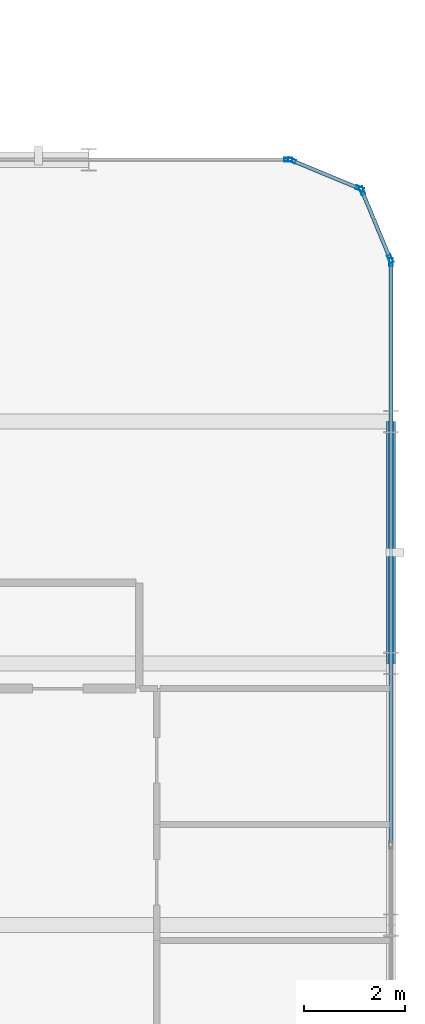
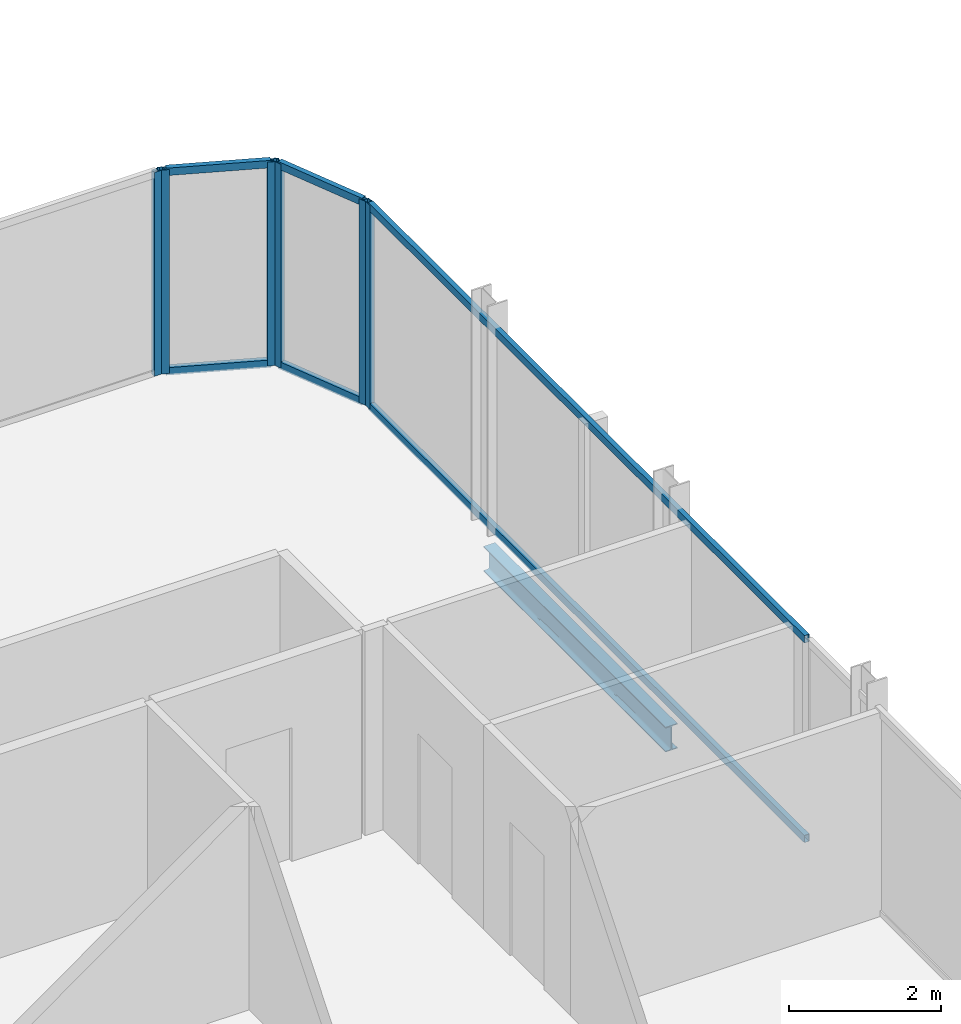
# One storey, part 15 of 28: 12 members, 1 beam, 4 elements without a shape of their own.
"""IFC4 building model written with IfcOpenShell, lengths in metres."""

import ifcopenshell
import ifcopenshell.guid

model = None  # the IFC model being written
_history = None  # IfcOwnerHistory: only IFC2X3 demands one
_inside = {}  # id of a spatial element -> (the spatial element, [elements in it])
_under = {}  # id of a project, library or spatial element -> (it, [spatial elements below it])
_declared = {}  # id of a project -> (the project, [libraries it declares])
_typed = {}  # id of a type object -> (the type object, [elements of that type])
_made_of = {}  # id of a material, layer set ... -> (it, [elements and type objects made of it])


def new_model(schema):
    """Start an empty IFC model of exactly this schema.

    Asked for "IFC4X3", IfcOpenShell would pick the latest addendum, in which some entities
    have other attributes; the version numbers below select the first issue.
    IFC2X3 requires an IfcOwnerHistory on every rooted entity: one is made here for all.
    """
    global model, _history
    if schema == "IFC4X3":
        model = ifcopenshell.file(schema_version=(4, 3, 0, 0))
    else:
        model = ifcopenshell.file(schema=schema)
    _inside.clear()
    _under.clear()
    _declared.clear()
    _typed.clear()
    _made_of.clear()
    _history = None
    if model.schema == "IFC2X3":
        org = make("IfcOrganization", Name="unknown")
        user = make(
            "IfcPersonAndOrganization",
            ThePerson=make("IfcPerson", FamilyName="unknown"),
            TheOrganization=org,
        )
        app = make(
            "IfcApplication",
            ApplicationDeveloper=org,
            Version="unknown",
            ApplicationFullName="unknown",
            ApplicationIdentifier="unknown",
        )
        _history = make(
            "IfcOwnerHistory",
            OwningUser=user,
            OwningApplication=app,
            ChangeAction="ADDED",
            CreationDate=0,
        )
    return model


def make(cls, **values):
    """One entity of the class cls with the attributes given. An attribute that is None is left unset."""
    return model.create_entity(
        cls, **{name: value for name, value in values.items() if value is not None}
    )


def rooted(cls, **values):
    """An entity with a GlobalId (a new one), such as an element, a storey or a relation."""
    return make(cls, GlobalId=ifcopenshell.guid.new(), OwnerHistory=_history, **values)


def si_unit(unit_type, name, prefix=None):
    """IfcSIUnit, for example si_unit("LENGTHUNIT", "METRE", prefix="MILLI")."""
    return make("IfcSIUnit", UnitType=unit_type, Prefix=prefix, Name=name)


def assignment(units):
    """IfcUnitAssignment: the units of a project."""
    return None if units is None else make("IfcUnitAssignment", Units=units)


def point(xyz):
    """IfcCartesianPoint."""
    return None if xyz is None else make("IfcCartesianPoint", Coordinates=xyz)


def direction(xyz):
    """IfcDirection."""
    return None if xyz is None else make("IfcDirection", DirectionRatios=xyz)


def frame(location, z_axis=None, x_axis=None):
    """IfcAxis2Placement3D, a coordinate frame: its origin and axes. An axis left out is left unset."""
    return make(
        "IfcAxis2Placement3D",
        Location=point(location),
        Axis=direction(z_axis),
        RefDirection=direction(x_axis),
    )


def frame_2d(location, x_axis=None):
    """IfcAxis2Placement2D, a coordinate frame in the plane: its origin and x axis."""
    return make(
        "IfcAxis2Placement2D", Location=point(location), RefDirection=direction(x_axis)
    )


def origin():
    """The frame at (0, 0, 0) with its axes left unset."""
    return frame((0.0, 0.0, 0.0))


def origin_2d():
    """The frame at (0, 0) in the plane with its x axis left unset."""
    return frame_2d((0.0, 0.0))


def place(relative_to, where):
    """IfcLocalPlacement: puts the frame where relative to a parent placement (None: the world)."""
    return make(
        "IfcLocalPlacement", PlacementRelTo=relative_to, RelativePlacement=where
    )


def context(
    kind, dimensions, precision=None, world=None, true_north=None, identifier=None
):
    """IfcGeometricRepresentationContext, for example the 3D "Model" context."""
    return make(
        "IfcGeometricRepresentationContext",
        ContextIdentifier=identifier,
        ContextType=kind,
        CoordinateSpaceDimension=dimensions,
        Precision=precision,
        WorldCoordinateSystem=world,
        TrueNorth=true_north,
    )


def subcontext(parent, identifier, kind, view, scale=None):
    """IfcGeometricRepresentationSubContext, for example "Body" below "Model"."""
    return make(
        "IfcGeometricRepresentationSubContext",
        ContextIdentifier=identifier,
        ContextType=kind,
        ParentContext=parent,
        TargetScale=scale,
        TargetView=view,
    )


def project(units=None, contexts=None):
    """IfcProject with its units and contexts."""
    return rooted(
        "IfcProject",
        Name="project",
        RepresentationContexts=contexts,
        UnitsInContext=assignment(units),
    )


def spatial(cls, under=None, at=None, **own):
    """A site, building, storey or space (cls), placed at a placement, below another one or the project."""
    s = rooted(cls, ObjectPlacement=at, **own)
    if under is not None:
        _under.setdefault(under.id(), (under, []))[1].append(s)
    return s


def profile(cls, at=None, kind="AREA", **sizes):
    """A parametric profile (cls). Its sizes go by their IFC names, for example OverallWidth=200.0."""
    return make(cls, ProfileType=kind, Position=at, **sizes)


def hollow_rectangle(**sizes):
    """IfcRectangleHollowProfileDef."""
    return profile("IfcRectangleHollowProfileDef", **sizes)


def i_section(**sizes):
    """IfcIShapeProfileDef."""
    return profile("IfcIShapeProfileDef", **sizes)


def extrude(swept, where, along, depth):
    """IfcExtrudedAreaSolid: the profile swept, set in the frame where, extruded along a direction by depth."""
    return make(
        "IfcExtrudedAreaSolid",
        SweptArea=swept,
        Position=where,
        ExtrudedDirection=direction(along),
        Depth=depth,
    )


def shape(context_of_items, identifier, shape_type, items):
    """IfcShapeRepresentation: the items that make up one representation, for example the "Body"."""
    return make(
        "IfcShapeRepresentation",
        ContextOfItems=context_of_items,
        RepresentationIdentifier=identifier,
        RepresentationType=shape_type,
        Items=items,
    )


def material(Name=None, Category=None):
    """IfcMaterial."""
    return make("IfcMaterial", Name=Name, Category=Category)


def layer(
    of_material, thickness, ventilated=None, Name=None, Category=None, Priority=None
):
    """IfcMaterialLayer: one layer of a wall or slab, of a material (None: an air gap)."""
    return make(
        "IfcMaterialLayer",
        Material=of_material,
        LayerThickness=thickness,
        IsVentilated=ventilated,
        Name=Name,
        Category=Category,
        Priority=Priority,
    )


def layer_set(layers, Name=None):
    """IfcMaterialLayerSet."""
    return make("IfcMaterialLayerSet", MaterialLayers=layers, LayerSetName=Name)


def material_profile(
    of_material, cross_section, Name=None, Category=None, Priority=None
):
    """IfcMaterialProfile: a cross section and its material."""
    return make(
        "IfcMaterialProfile",
        Name=Name,
        Material=of_material,
        Profile=cross_section,
        Priority=Priority,
        Category=Category,
    )


def profile_set(profiles, Name=None, composite=None):
    """IfcMaterialProfileSet."""
    return make(
        "IfcMaterialProfileSet",
        Name=Name,
        MaterialProfiles=profiles,
        CompositeProfile=composite,
    )


def made_of(thing, what):
    """Note that an element or type object is made of a material, layer set ...; save() writes the relation."""
    if what is not None:
        _made_of.setdefault(what.id(), (what, []))[1].append(thing)
    return thing


def type_object(cls, material=None, **own):
    """A type object (cls), such as IfcWallType, which elements share."""
    return made_of(rooted(cls, **own), material)


def element(
    cls,
    number,
    at=None,
    inside=None,
    cuts=None,
    type_object=None,
    material=None,
    context=None,
    identifier="Body",
    shape_type=None,
    held_by="IfcProductDefinitionShape",
    body=None,
    shapes=None,
    **own,
):
    """One element of the class cls, such as IfcWall. Its Tag is "e" and its number.

    at: its placement. inside: the storey or other place that contains it. cuts: it is an
    opening in that element (IfcRelVoidsElement). A single representation is given by context,
    identifier, shape_type and body (its items); several are given by shapes. held_by: the class
    of the entity that holds the representations. save() writes the other relations.
    """
    e = rooted(cls, Tag="e%d" % number, ObjectPlacement=at, **own)
    if body is not None:
        shapes = [shape(context, identifier, shape_type, body)]
    if shapes is not None:
        e.Representation = make(held_by, Representations=shapes)
    if inside is not None:
        _inside.setdefault(inside.id(), (inside, []))[1].append(e)
    if cuts is not None:
        rooted(
            "IfcRelVoidsElement", RelatingBuildingElement=cuts, RelatedOpeningElement=e
        )
    if type_object is not None:
        _typed.setdefault(type_object.id(), (type_object, []))[1].append(e)
    return made_of(e, material)


def aggregate(whole, parts):
    """IfcRelAggregates: a whole, such as a stair, and the parts it consists of."""
    return rooted("IfcRelAggregates", RelatingObject=whole, RelatedObjects=parts)


def save(model, path):
    """Write the relations noted so far, then the file.

    IfcRelAggregates (storeys below a building ...), IfcRelContainedInSpatialStructure (elements
    in a storey), IfcRelDefinesByType, IfcRelAssociatesMaterial and IfcRelDeclares: one each for
    every whole, place, type object, material and project.
    """
    for whole, parts in _under.values():
        aggregate(whole, parts)
    for where, things in _inside.values():
        rooted(
            "IfcRelContainedInSpatialStructure",
            RelatedElements=things,
            RelatingStructure=where,
        )
    for kind, things in _typed.values():
        rooted("IfcRelDefinesByType", RelatedObjects=things, RelatingType=kind)
    for what, things in _made_of.values():
        rooted("IfcRelAssociatesMaterial", RelatedObjects=things, RelatingMaterial=what)
    for by, libraries in _declared.values():
        rooted("IfcRelDeclares", RelatingContext=by, RelatedDefinitions=libraries)
    model.write(path)


model = new_model("IFC4")

# Units and contexts
model_context = context("Model", 3, precision=1e-05, world=origin(), true_north=direction((0.0, 1.0)))
body_context = subcontext(model_context, "Body", "Model", "MODEL_VIEW")
ifc_project = project(units=[si_unit("LENGTHUNIT", "METRE"), si_unit("AREAUNIT", "SQUARE_METRE"), si_unit("VOLUMEUNIT", "CUBIC_METRE"), si_unit("PLANEANGLEUNIT", "RADIAN"), si_unit("MASSUNIT", "GRAM", prefix="KILO")], contexts=[model_context])

# Site, building, storey
site_placement = place(None, origin())
site = spatial("IfcSite", under=ifc_project, at=site_placement, CompositionType="ELEMENT")
building_placement = place(site_placement, origin())
building = spatial("IfcBuilding", under=site, at=building_placement, Name="Keshet Zoharim Tower", CompositionType="ELEMENT")
storey_placement = place(building_placement, frame((0.0, 0.0, 233.89990234375)))
storey = spatial("IfcBuildingStorey", under=building, at=storey_placement, Name="L58", CompositionType="ELEMENT", Elevation=233.89990234375)

# Beam
ifc_material_1 = material(Name="Steel S355", Category="steel")
ifc_material_profile_1 = material_profile(ifc_material_1, i_section(OverallWidth=0.179931640625, OverallDepth=0.39990234375, WebThickness=0.008544921875, FlangeThickness=0.013427734375, FilletRadius=0.02099609375, at=origin_2d()), Name="IPE400")
ifc_profile_set_1 = profile_set([ifc_material_profile_1], Name="Steel S355")
beam_type = type_object("IfcBeamType", Name="BM-PRI-IP400", PredefinedType="BEAM", material=ifc_profile_set_1)
beam_placement = place(storey_placement, frame((57.0, 17.89990234375, -0.510009765625), z_axis=(0.0, 1.0, 0.0), x_axis=(-1.0, 0.0, 0.0)))
element("IfcBeam", 1, at=beam_placement, inside=storey, type_object=beam_type, Name="L58 Primary Girder Y-015", PredefinedType="BEAM", context=body_context, shape_type="SweptSolid", body=[
    extrude(i_section(OverallWidth=0.179931640625, OverallDepth=0.39990234375, WebThickness=0.008544921875, FlangeThickness=0.013427734375, FilletRadius=0.02099609375, at=origin_2d()), origin(), (0.0, 0.0, 1.0), 4.800048828125),
])

# Curtain wall, members
ifc_material_2 = material(Name="Aluminium 6063-T6", Category="aluminium")
ifc_layer = layer(ifc_material_2, 0.139892578125)
ifc_layer_set = layer_set([ifc_layer], Name="Aluminium 6063-T6")
curtain_wall_type = type_object("IfcCurtainWallType", Name="CW-SYS-05", PredefinedType="NOTDEFINED", material=ifc_layer_set)
curtain_wall_1_placement = place(storey_placement, origin())
curtain_wall_1 = element("IfcCurtainWall", 2, at=curtain_wall_1_placement, inside=storey, type_object=curtain_wall_type, Name="L58 Unitised Curtain Wall 01", PredefinedType="NOTDEFINED")
ifc_material_profile_2 = material_profile(ifc_material_2, hollow_rectangle(XDim=0.074951171875, YDim=0.159912109375, WallThickness=0.00390625, at=origin_2d()), Name="MUL-75x160")
ifc_profile_set_2 = profile_set([ifc_material_profile_2], Name="Aluminium 6063-T6")
member_type_1 = type_object("IfcMemberType", Name="CWM-M15", PredefinedType="MULLION", material=ifc_profile_set_2)
member_1_placement = place(storey_placement, frame((55.0322265625, 27.88671875, 0.0), z_axis=(0.0, 0.0, 1.0), x_axis=(0.382851849847, 0.92380975372, 0.0)))
member_1 = element("IfcMember", 3, at=member_1_placement, type_object=member_type_1, Name="CW-05 mullion 1", PredefinedType="MULLION", context=body_context, shape_type="SweptSolid", body=[
    extrude(hollow_rectangle(XDim=0.074951171875, YDim=0.159912109375, WallThickness=0.00390625, at=origin_2d()), origin(), (0.0, 0.0, 1.0), 3.280029296875),
])
member_2_placement = place(storey_placement, frame((56.381591796875, 27.327392578125, 0.0), z_axis=(0.0, 0.0, 1.0), x_axis=(0.382851849847, 0.92380975372, 0.0)))
member_2 = element("IfcMember", 4, at=member_2_placement, type_object=member_type_1, Name="CW-05 mullion 2", PredefinedType="MULLION", context=body_context, shape_type="SweptSolid", body=[
    extrude(hollow_rectangle(XDim=0.074951171875, YDim=0.159912109375, WallThickness=0.00390625, at=origin_2d()), origin(), (0.0, 0.0, 1.0), 3.280029296875),
])

curtain_wall_2_placement = place(storey_placement, origin())
curtain_wall_2 = element("IfcCurtainWall", 5, at=curtain_wall_2_placement, inside=storey, type_object=curtain_wall_type, Name="L58 Unitised Curtain Wall 02", PredefinedType="NOTDEFINED")
member_3_placement = place(storey_placement, frame((56.427490234375, 27.28173828125, 0.0), z_axis=(0.0, 0.0, 1.0), x_axis=(0.92380975372, 0.382851849847, 0.0)))
member_3 = element("IfcMember", 6, at=member_3_placement, type_object=member_type_1, Name="CW-05 mullion 1", PredefinedType="MULLION", context=body_context, shape_type="SweptSolid", body=[
    extrude(hollow_rectangle(XDim=0.074951171875, YDim=0.159912109375, WallThickness=0.00390625, at=origin_2d()), origin(), (0.0, 0.0, 1.0), 3.280029296875),
])
member_4_placement = place(storey_placement, frame((56.986572265625, 25.932373046875, 0.0), z_axis=(0.0, 0.0, 1.0), x_axis=(0.92380975372, 0.382851849847, 0.0)))
member_4 = element("IfcMember", 7, at=member_4_placement, type_object=member_type_1, Name="CW-05 mullion 2", PredefinedType="MULLION", context=body_context, shape_type="SweptSolid", body=[
    extrude(hollow_rectangle(XDim=0.074951171875, YDim=0.159912109375, WallThickness=0.00390625, at=origin_2d()), origin(), (0.0, 0.0, 1.0), 3.280029296875),
])

# Curtain wall, member
curtain_wall_3_placement = place(storey_placement, origin())
curtain_wall_3 = element("IfcCurtainWall", 8, at=curtain_wall_3_placement, inside=storey, type_object=curtain_wall_type, Name="L58 Unitised Curtain Wall 03", PredefinedType="NOTDEFINED")
member_5_placement = place(storey_placement, frame((57.0, 25.864990234375, 0.0), z_axis=(0.0, 0.0, 1.0), x_axis=(1.0, 0.0, 0.0)))
member_5 = element("IfcMember", 9, at=member_5_placement, type_object=member_type_1, Name="CW-05 mullion 1", PredefinedType="MULLION", context=body_context, shape_type="SweptSolid", body=[
    extrude(hollow_rectangle(XDim=0.074951171875, YDim=0.159912109375, WallThickness=0.00390625, at=origin_2d()), origin(), (0.0, 0.0, 1.0), 3.280029296875),
])

curtain_wall_4_placement = place(storey_placement, origin())
curtain_wall_4 = element("IfcCurtainWall", 10, at=curtain_wall_4_placement, inside=storey, type_object=curtain_wall_type, Name="L58 Unitised Curtain Wall 20 Part 2", PredefinedType="NOTDEFINED")
member_6_placement = place(storey_placement, frame((54.965087890625, 27.89990234375, 0.0), z_axis=(0.0, 0.0, 1.0), x_axis=(0.0, 1.0, 0.0)))
member_6 = element("IfcMember", 11, at=member_6_placement, type_object=member_type_1, Name="CW-05 mullion 2", PredefinedType="MULLION", context=body_context, shape_type="SweptSolid", body=[
    extrude(hollow_rectangle(XDim=0.074951171875, YDim=0.159912109375, WallThickness=0.00390625, at=origin_2d()), origin(), (0.0, 0.0, 1.0), 3.280029296875),
])
aggregate(curtain_wall_4, [member_6])

# Member
ifc_material_profile_3 = material_profile(ifc_material_2, hollow_rectangle(XDim=0.074951171875, YDim=0.1201171875, WallThickness=0.00390625, at=origin_2d()), Name="TRN-75x120")
ifc_profile_set_3 = profile_set([ifc_material_profile_3], Name="Aluminium 6063-T6")
member_type_2 = type_object("IfcMemberType", Name="CWT-T12", PredefinedType="USERDEFINED", material=ifc_profile_set_3)
member_7_placement = place(storey_placement, frame((55.064697265625, 27.873291015625, 0.03515625), z_axis=(0.92379209995, -0.382894445076, 0.0), x_axis=(0.382894445076, 0.92379209995, 0.0)))
member_7 = element("IfcMember", 12, at=member_7_placement, type_object=member_type_2, Name="CW-05 transom 1.1", ObjectType="TRANSOM", PredefinedType="USERDEFINED", context=body_context, shape_type="SweptSolid", body=[
    extrude(hollow_rectangle(XDim=0.074951171875, YDim=0.1201171875, WallThickness=0.00390625, at=origin_2d()), origin(), (0.0, 0.0, 1.0), 1.390625),
])

member_8_placement = place(storey_placement, frame((55.064697265625, 27.873291015625, 3.2451171875), z_axis=(0.92379209995, -0.382894445076, 0.0), x_axis=(0.382894445076, 0.92379209995, 0.0)))
member_8 = element("IfcMember", 13, at=member_8_placement, type_object=member_type_2, Name="CW-05 transom 1.2", ObjectType="TRANSOM", PredefinedType="USERDEFINED", context=body_context, shape_type="SweptSolid", body=[
    extrude(hollow_rectangle(XDim=0.074951171875, YDim=0.1201171875, WallThickness=0.00390625, at=origin_2d()), origin(), (0.0, 0.0, 1.0), 1.390625),
])

aggregate(curtain_wall_1, [member_1, member_2, member_7, member_8])

member_9_placement = place(storey_placement, frame((56.44091796875, 27.249267578125, 0.03515625), z_axis=(0.382744609247, -0.923854189844, 0.0), x_axis=(0.923854189844, 0.382744609247, 0.0)))
member_9 = element("IfcMember", 14, at=member_9_placement, type_object=member_type_2, Name="CW-05 transom 1.1", ObjectType="TRANSOM", PredefinedType="USERDEFINED", context=body_context, shape_type="SweptSolid", body=[
    extrude(hollow_rectangle(XDim=0.074951171875, YDim=0.1201171875, WallThickness=0.00390625, at=origin_2d()), origin(), (0.0, 0.0, 1.0), 1.390625),
])

member_10_placement = place(storey_placement, frame((56.44091796875, 27.249267578125, 3.2451171875), z_axis=(0.382744609247, -0.923854189844, 0.0), x_axis=(0.923854189844, 0.382744609247, 0.0)))
member_10 = element("IfcMember", 15, at=member_10_placement, type_object=member_type_2, Name="CW-05 transom 1.2", ObjectType="TRANSOM", PredefinedType="USERDEFINED", context=body_context, shape_type="SweptSolid", body=[
    extrude(hollow_rectangle(XDim=0.074951171875, YDim=0.1201171875, WallThickness=0.00390625, at=origin_2d()), origin(), (0.0, 0.0, 1.0), 1.390625),
])

aggregate(curtain_wall_2, [member_3, member_4, member_9, member_10])

member_11_placement = place(storey_placement, frame((57.0, 25.830078125, 0.03515625), z_axis=(0.0, -1.0, 0.0), x_axis=(1.0, 0.0, 0.0)))
member_11 = element("IfcMember", 16, at=member_11_placement, type_object=member_type_2, Name="CW-05 transom 1.1", ObjectType="TRANSOM", PredefinedType="USERDEFINED", context=body_context, shape_type="SweptSolid", body=[
    extrude(hollow_rectangle(XDim=0.074951171875, YDim=0.1201171875, WallThickness=0.00390625, at=origin_2d()), origin(), (0.0, 0.0, 1.0), 11.4951171875),
])

member_12_placement = place(storey_placement, frame((57.0, 25.830078125, 3.2451171875), z_axis=(0.0, -1.0, 0.0), x_axis=(1.0, 0.0, 0.0)))
member_12 = element("IfcMember", 17, at=member_12_placement, type_object=member_type_2, Name="CW-05 transom 1.2", ObjectType="TRANSOM", PredefinedType="USERDEFINED", context=body_context, shape_type="SweptSolid", body=[
    extrude(hollow_rectangle(XDim=0.074951171875, YDim=0.1201171875, WallThickness=0.00390625, at=origin_2d()), origin(), (0.0, 0.0, 1.0), 11.4951171875),
])

aggregate(curtain_wall_3, [member_5, member_11, member_12])

save(model, "model.ifc")
